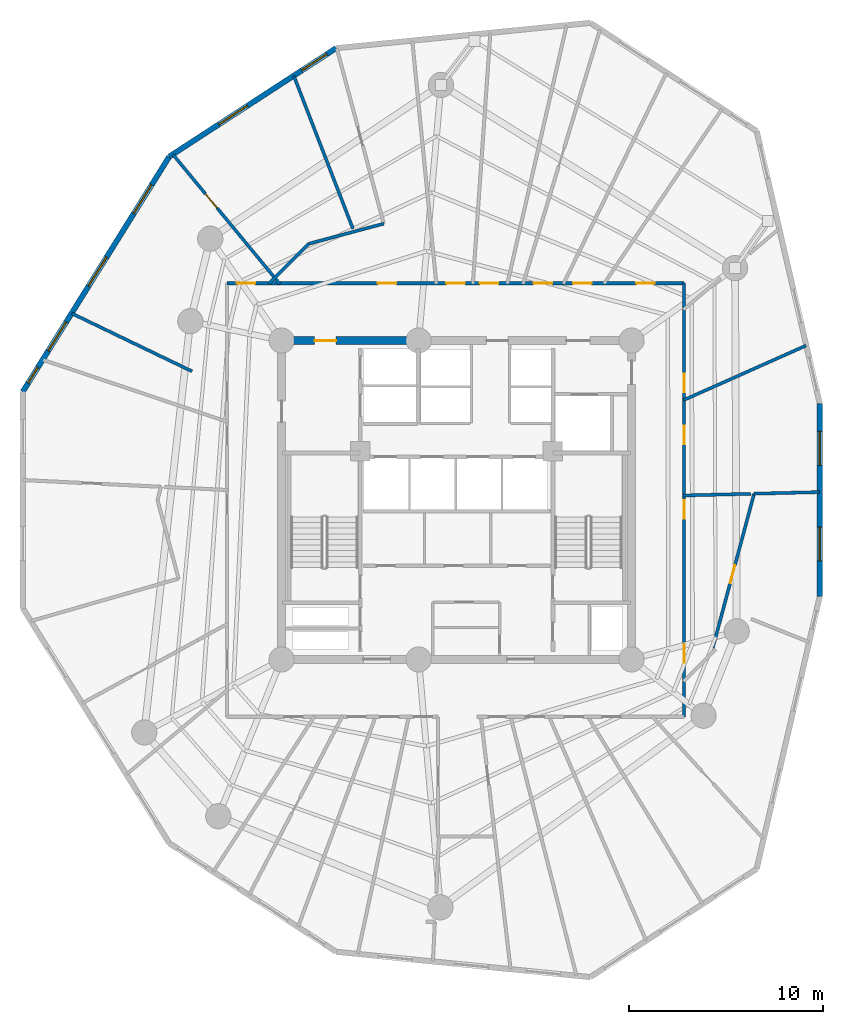
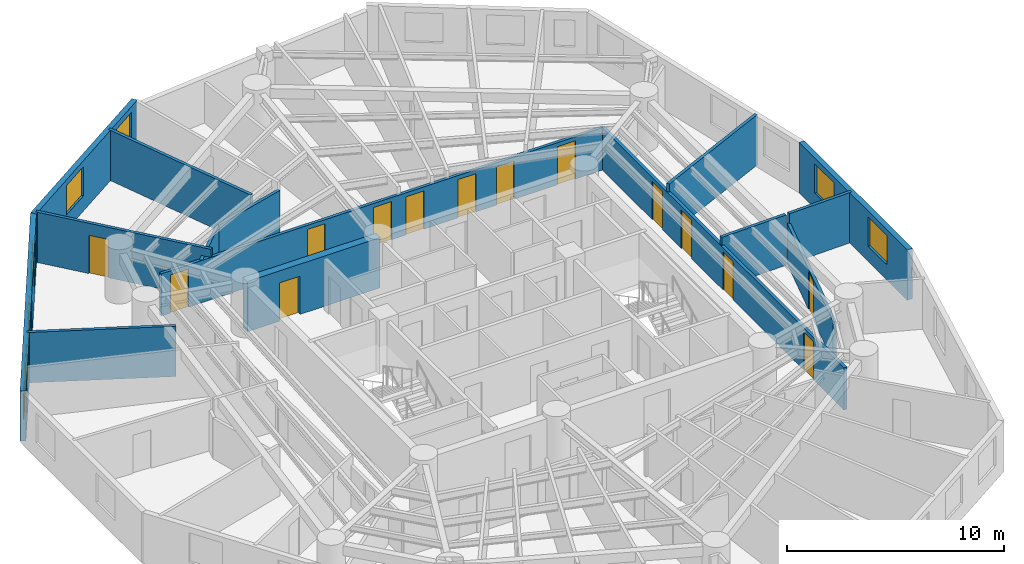
# One storey, part 6 of 8: 15 walls, 14 doors, 8 windows, 22 openings.
"""IFC4 building model written with IfcOpenShell, lengths in metres."""

from ifc_helpers import new_model, si_unit, direction, frame, frame_2d, origin, origin_with_axes, place, context, subcontext, project, spatial, rectangle, extrude, source, transform, mapped, material, layer, layer_set, type_object, element, fill, save


model = new_model("IFC4")

# Units and contexts
model_context = context("Model", 3, precision=1e-05, world=origin(), true_north=direction((0.0, 1.0)))
body_context = subcontext(model_context, "Body", "Model", "MODEL_VIEW")
ifc_project = project(units=[si_unit("LENGTHUNIT", "METRE"), si_unit("AREAUNIT", "SQUARE_METRE"), si_unit("VOLUMEUNIT", "CUBIC_METRE"), si_unit("PLANEANGLEUNIT", "RADIAN"), si_unit("MASSUNIT", "GRAM", prefix="KILO")], contexts=[model_context])

# Site, building, storey
site_placement = place(None, origin())
site = spatial("IfcSite", under=ifc_project, at=site_placement, CompositionType="ELEMENT")
building_placement = place(site_placement, origin())
building = spatial("IfcBuilding", under=site, at=building_placement, Name="Karkom Vertical University and Central Library", CompositionType="ELEMENT")
storey_placement = place(building_placement, frame((0.0, 0.0, 187.050048828125)))
storey = spatial("IfcBuildingStorey", under=building, at=storey_placement, Name="L54", CompositionType="ELEMENT", Elevation=187.050048828125)

# Wall, openings, windows
ifc_material_1 = material(Name="Brick-faced precast concrete C45/55", Category="masonry")
ifc_layer_1 = layer(ifc_material_1, 0.280029296875)
ifc_layer_set_1 = layer_set([ifc_layer_1], Name="Brick-faced precast concrete C45/55")
wall_type_1 = type_object("IfcWallType", Name="ENV-WL-BRK-280", PredefinedType="SOLIDWALL", material=ifc_layer_set_1)
wall_1_placement = place(storey_placement, frame((47.185302734375, 21.525634765625, 0.0), z_axis=(0.0, 0.0, 1.0), x_axis=(0.0, 1.0, 0.0)))
wall_1 = element("IfcWall", 1, at=wall_1_placement, inside=storey, type_object=wall_type_1, Name="Level 54 Brick-Faced Precast Facade Wall 07", PredefinedType="SOLIDWALL", context=body_context, shape_type="SweptSolid", body=[
    extrude(rectangle(XDim=9.94873046875, YDim=0.280029296875, at=frame_2d((4.974365234375, 0.0))), origin(), (0.0, 0.0, 1.0), 2.824951171875),
])
opening_1_placement = place(wall_1_placement, frame((1.844970703125, 0.0, 0.85009765625)))
opening_1 = element("IfcOpeningElement", 2, at=opening_1_placement, cuts=wall_1, Name="Opening WN-08", PredefinedType="OPENING", context=body_context, shape_type="SweptSolid", body=[
    extrude(rectangle(XDim=1.75, YDim=1.64990234375, at=frame_2d((0.875, 0.824951171875))), frame((0.0, 0.14990234375, 0.0), z_axis=(0.0, -1.0, 0.0), x_axis=(1.0, 0.0, 0.0)), (0.0, 0.0, 1.0), 0.300048828125),
])
opening_2_placement = place(wall_1_placement, frame((6.75927734375, 0.0, 0.85009765625)))
opening_2 = element("IfcOpeningElement", 3, at=opening_2_placement, cuts=wall_1, Name="Opening WN-08", PredefinedType="OPENING", context=body_context, shape_type="SweptSolid", body=[
    extrude(rectangle(XDim=1.75, YDim=1.64990234375, at=frame_2d((0.875, 0.824951171875))), frame((0.0, 0.14990234375, 0.0), z_axis=(0.0, -1.0, 0.0), x_axis=(1.0, 0.0, 0.0)), (0.0, 0.0, 1.0), 0.300048828125),
])
ifc_material_2 = material(Name="Aluminium thermal-break frame with solar-control IGU", Category="aluminium")
window_type_1 = type_object("IfcWindowType", Name="ENV-WIN-WN-08", PartitioningType="SINGLE_PANEL", PredefinedType="WINDOW", material=ifc_material_2)
shared_shape_1 = source(origin_with_axes(), body_context, "Body", "SweptSolid", [
    extrude(rectangle(XDim=1.75, YDim=1.64990234375, at=frame_2d((0.875, 0.824951171875))), frame((0.0, 0.030029296875, 0.0), z_axis=(0.0, -1.0, 0.0), x_axis=(1.0, 0.0, 0.0)), (0.0, 0.0, 1.0), 0.06005859375),
])
window_1_placement = place(opening_1_placement, origin())
window_1 = element("IfcWindow", 4, at=window_1_placement, inside=storey, type_object=window_type_1, Name="Level 54 Punched Window 7.1", OverallHeight=1.64990234375, OverallWidth=1.75, PartitioningType="SINGLE_PANEL", PredefinedType="WINDOW", context=body_context, shape_type="MappedRepresentation", body=[
    mapped(shared_shape_1, transform((0.0, 0.0, 0.0), scale=1.0)),
])
fill(opening_1, window_1)
window_2_placement = place(opening_2_placement, origin())
window_2 = element("IfcWindow", 5, at=window_2_placement, inside=storey, type_object=window_type_1, Name="Level 54 Punched Window 7.2", OverallHeight=1.64990234375, OverallWidth=1.75, PartitioningType="SINGLE_PANEL", PredefinedType="WINDOW", context=body_context, shape_type="MappedRepresentation", body=[
    mapped(shared_shape_1, transform((0.0, 0.0, 0.0), scale=1.0)),
])
fill(opening_2, window_2)

wall_2_placement = place(storey_placement, frame((22.306884765625, 49.74658203125, 0.0), z_axis=(0.0, 0.0, 1.0), x_axis=(-0.838379351777, -0.545087206339, 0.0)))
wall_2 = element("IfcWall", 6, at=wall_2_placement, inside=storey, type_object=wall_type_1, Name="Level 54 Brick-Faced Precast Facade Wall 11", PredefinedType="SOLIDWALL", context=body_context, shape_type="SweptSolid", body=[
    extrude(rectangle(XDim=10.242919921875, YDim=0.280029296875, at=frame_2d((5.12158203125, 0.0))), origin(), (0.0, 0.0, 1.0), 2.824951171875),
])
opening_3_placement = place(wall_2_placement, frame((0.563232421875, 0.0, 0.85009765625)))
opening_3 = element("IfcOpeningElement", 7, at=opening_3_placement, cuts=wall_2, Name="Opening WN-09", PredefinedType="OPENING", context=body_context, shape_type="SweptSolid", body=[
    extrude(rectangle(XDim=1.550048828125, YDim=1.64990234375, at=frame_2d((0.77490234375, 0.824951171875))), frame((0.0, 0.14990234375, 0.0), z_axis=(0.0, -1.0, 0.0), x_axis=(1.0, 0.0, 0.0)), (0.0, 0.0, 1.0), 0.300048828125),
])
opening_4_placement = place(wall_2_placement, frame((5.4423828125, 0.0, 0.85009765625)))
opening_4 = element("IfcOpeningElement", 8, at=opening_4_placement, cuts=wall_2, Name="Opening WN-08", PredefinedType="OPENING", context=body_context, shape_type="SweptSolid", body=[
    extrude(rectangle(XDim=1.75, YDim=1.64990234375, at=frame_2d((0.875, 0.824951171875))), frame((0.0, 0.14990234375, 0.0), z_axis=(0.0, -1.0, 0.0), x_axis=(1.0, 0.0, 0.0)), (0.0, 0.0, 1.0), 0.300048828125),
])
window_3_placement = place(opening_4_placement, origin())
window_3 = element("IfcWindow", 9, at=window_3_placement, inside=storey, type_object=window_type_1, Name="Level 54 Punched Window 11.2", OverallHeight=1.64990234375, OverallWidth=1.75, PartitioningType="SINGLE_PANEL", PredefinedType="WINDOW", context=body_context, shape_type="MappedRepresentation", body=[
    mapped(shared_shape_1, transform((0.0, 0.0, 0.0), scale=1.0)),
])
fill(opening_4, window_3)
window_type_2 = type_object("IfcWindowType", Name="ENV-WIN-WN-09", PartitioningType="SINGLE_PANEL", PredefinedType="WINDOW", material=ifc_material_2)
shared_shape_2 = source(origin_with_axes(), body_context, "Body", "SweptSolid", [
    extrude(rectangle(XDim=1.550048828125, YDim=1.64990234375, at=frame_2d((0.77490234375, 0.824951171875))), frame((0.0, 0.030029296875, 0.0), z_axis=(0.0, -1.0, 0.0), x_axis=(1.0, 0.0, 0.0)), (0.0, 0.0, 1.0), 0.06005859375),
])
window_4_placement = place(opening_3_placement, origin())
window_4 = element("IfcWindow", 10, at=window_4_placement, inside=storey, type_object=window_type_2, Name="Level 54 Punched Window 11.1", OverallHeight=1.64990234375, OverallWidth=1.550048828125, PartitioningType="SINGLE_PANEL", PredefinedType="WINDOW", context=body_context, shape_type="MappedRepresentation", body=[
    mapped(shared_shape_2, transform((0.0, 0.0, 0.0), scale=1.0)),
])
fill(opening_3, window_4)

wall_3_placement = place(storey_placement, frame((13.719482421875, 44.163330078125, 0.0), z_axis=(0.0, 0.0, 1.0), x_axis=(-0.52888179639, -0.848695496304, 0.0)))
wall_3 = element("IfcWall", 11, at=wall_3_placement, inside=storey, type_object=wall_type_1, Name="Level 54 Brick-Faced Precast Facade Wall 12", PredefinedType="SOLIDWALL", context=body_context, shape_type="SweptSolid", body=[
    extrude(rectangle(XDim=14.247802734375, YDim=0.280029296875, at=frame_2d((7.1240234375, 0.0))), origin(), (0.0, 0.0, 1.0), 2.824951171875),
])
opening_5_placement = place(wall_3_placement, frame((1.702880859375, 0.0, 0.85009765625)))
opening_5 = element("IfcOpeningElement", 12, at=opening_5_placement, cuts=wall_3, Name="Opening WN-08", PredefinedType="OPENING", context=body_context, shape_type="SweptSolid", body=[
    extrude(rectangle(XDim=1.75, YDim=1.64990234375, at=frame_2d((0.875, 0.824951171875))), frame((0.0, 0.14990234375, 0.0), z_axis=(0.0, -1.0, 0.0), x_axis=(1.0, 0.0, 0.0)), (0.0, 0.0, 1.0), 0.300048828125),
])
opening_6_placement = place(wall_3_placement, frame((6.098876953125, 0.0, 0.85009765625)))
opening_6 = element("IfcOpeningElement", 13, at=opening_6_placement, cuts=wall_3, Name="Opening WN-08", PredefinedType="OPENING", context=body_context, shape_type="SweptSolid", body=[
    extrude(rectangle(XDim=1.75, YDim=1.64990234375, at=frame_2d((0.875, 0.824951171875))), frame((0.0, 0.14990234375, 0.0), z_axis=(0.0, -1.0, 0.0), x_axis=(1.0, 0.0, 0.0)), (0.0, 0.0, 1.0), 0.300048828125),
])
opening_7_placement = place(wall_3_placement, frame((10.0205078125, 0.0, 0.85009765625)))
opening_7 = element("IfcOpeningElement", 14, at=opening_7_placement, cuts=wall_3, Name="Opening WN-08", PredefinedType="OPENING", context=body_context, shape_type="SweptSolid", body=[
    extrude(rectangle(XDim=1.75, YDim=1.64990234375, at=frame_2d((0.875, 0.824951171875))), frame((0.0, 0.14990234375, 0.0), z_axis=(0.0, -1.0, 0.0), x_axis=(1.0, 0.0, 0.0)), (0.0, 0.0, 1.0), 0.300048828125),
])
opening_8_placement = place(wall_3_placement, frame((12.7685546875, 0.0, 0.85009765625)))
opening_8 = element("IfcOpeningElement", 15, at=opening_8_placement, cuts=wall_3, Name="Opening WN-12", PredefinedType="OPENING", context=body_context, shape_type="SweptSolid", body=[
    extrude(rectangle(XDim=0.949951171875, YDim=1.5, at=frame_2d((0.47509765625, 0.75))), frame((0.0, 0.14990234375, 0.0), z_axis=(0.0, -1.0, 0.0), x_axis=(1.0, 0.0, 0.0)), (0.0, 0.0, 1.0), 0.300048828125),
])
window_type_3 = type_object("IfcWindowType", Name="ENV-WIN-WN-12", PartitioningType="SINGLE_PANEL", PredefinedType="WINDOW", material=ifc_material_2)
shared_shape_3 = source(origin_with_axes(), body_context, "Body", "SweptSolid", [
    extrude(rectangle(XDim=0.949951171875, YDim=1.5, at=frame_2d((0.47509765625, 0.75))), frame((0.0, 0.030029296875, 0.0), z_axis=(0.0, -1.0, 0.0), x_axis=(1.0, 0.0, 0.0)), (0.0, 0.0, 1.0), 0.06005859375),
])
window_5_placement = place(opening_8_placement, origin())
window_5 = element("IfcWindow", 16, at=window_5_placement, inside=storey, type_object=window_type_3, Name="Level 54 Punched Window 12.4", OverallHeight=1.5, OverallWidth=0.949951171875, PartitioningType="SINGLE_PANEL", PredefinedType="WINDOW", context=body_context, shape_type="MappedRepresentation", body=[
    mapped(shared_shape_3, transform((0.0, 0.0, 0.0), scale=1.0)),
])
fill(opening_8, window_5)
window_6_placement = place(opening_5_placement, origin())
window_6 = element("IfcWindow", 17, at=window_6_placement, inside=storey, type_object=window_type_1, Name="Level 54 Punched Window 12.1", OverallHeight=1.64990234375, OverallWidth=1.75, PartitioningType="SINGLE_PANEL", PredefinedType="WINDOW", context=body_context, shape_type="MappedRepresentation", body=[
    mapped(shared_shape_1, transform((0.0, 0.0, 0.0), scale=1.0)),
])
fill(opening_5, window_6)
window_7_placement = place(opening_6_placement, origin())
window_7 = element("IfcWindow", 18, at=window_7_placement, inside=storey, type_object=window_type_1, Name="Level 54 Punched Window 12.2", OverallHeight=1.64990234375, OverallWidth=1.75, PartitioningType="SINGLE_PANEL", PredefinedType="WINDOW", context=body_context, shape_type="MappedRepresentation", body=[
    mapped(shared_shape_1, transform((0.0, 0.0, 0.0), scale=1.0)),
])
fill(opening_6, window_7)
window_8_placement = place(opening_7_placement, origin())
window_8 = element("IfcWindow", 19, at=window_8_placement, inside=storey, type_object=window_type_1, Name="Level 54 Punched Window 12.3", OverallHeight=1.64990234375, OverallWidth=1.75, PartitioningType="SINGLE_PANEL", PredefinedType="WINDOW", context=body_context, shape_type="MappedRepresentation", body=[
    mapped(shared_shape_1, transform((0.0, 0.0, 0.0), scale=1.0)),
])
fill(opening_7, window_8)

# Wall, openings, doors
ifc_material_3 = material(Name="Insulated metal-stud drywall 160mm", Category="gypsum")
ifc_layer_2 = layer(ifc_material_3, 0.159912109375)
ifc_layer_set_2 = layer_set([ifc_layer_2], Name="Insulated metal-stud drywall 160mm")
wall_type_2 = type_object("IfcWallType", Name="INT-WL-COR-160", PredefinedType="PARTITIONING", material=ifc_layer_set_2)
wall_4_placement = place(storey_placement, frame((16.699951171875, 37.64990234375, 0.0), z_axis=(0.0, 0.0, 1.0), x_axis=(1.0, 0.0, 0.0)))
wall_4 = element("IfcWall", 20, at=wall_4_placement, inside=storey, type_object=wall_type_2, Name="Level 54 Interior Partition Wall L54-CORW-CW-003", PredefinedType="PARTITIONING", context=body_context, shape_type="SweptSolid", body=[
    extrude(rectangle(XDim=23.5, YDim=0.159912109375, at=frame_2d((11.75, 0.0))), origin(), (0.0, 0.0, 1.0), 2.375),
])
opening_9_placement = place(wall_4_placement, frame((21.042724609375, 0.0, 0.0)))
opening_9 = element("IfcOpeningElement", 21, at=opening_9_placement, cuts=wall_4, Name="Opening D-RM1", PredefinedType="OPENING", context=body_context, shape_type="SweptSolid", body=[
    extrude(rectangle(XDim=0.949951171875, YDim=2.14990234375, at=frame_2d((0.47509765625, 1.074951171875))), frame((0.0, 0.08984375, 0.0), z_axis=(0.0, -1.0, 0.0), x_axis=(1.0, 0.0, 0.0)), (0.0, 0.0, 1.0), 0.179931640625),
])
opening_10_placement = place(wall_4_placement, frame((17.7900390625, 0.0, 0.0)))
opening_10 = element("IfcOpeningElement", 22, at=opening_10_placement, cuts=wall_4, Name="Opening D-RM1", PredefinedType="OPENING", context=body_context, shape_type="SweptSolid", body=[
    extrude(rectangle(XDim=0.949951171875, YDim=2.14990234375, at=frame_2d((0.47509765625, 1.074951171875))), frame((0.0, 0.08984375, 0.0), z_axis=(0.0, -1.0, 0.0), x_axis=(1.0, 0.0, 0.0)), (0.0, 0.0, 1.0), 0.179931640625),
])
opening_11_placement = place(wall_4_placement, frame((15.762939453125, 0.0, 0.0)))
opening_11 = element("IfcOpeningElement", 23, at=opening_11_placement, cuts=wall_4, Name="Opening D-RM1", PredefinedType="OPENING", context=body_context, shape_type="SweptSolid", body=[
    extrude(rectangle(XDim=0.949951171875, YDim=2.14990234375, at=frame_2d((0.47509765625, 1.074951171875))), frame((0.0, 0.08984375, 0.0), z_axis=(0.0, -1.0, 0.0), x_axis=(1.0, 0.0, 0.0)), (0.0, 0.0, 1.0), 0.179931640625),
])
opening_12_placement = place(wall_4_placement, frame((13.00341796875, 0.0, 0.0)))
opening_12 = element("IfcOpeningElement", 24, at=opening_12_placement, cuts=wall_4, Name="Opening D-RM1", PredefinedType="OPENING", context=body_context, shape_type="SweptSolid", body=[
    extrude(rectangle(XDim=0.949951171875, YDim=2.14990234375, at=frame_2d((0.47509765625, 1.074951171875))), frame((0.0, 0.08984375, 0.0), z_axis=(0.0, -1.0, 0.0), x_axis=(1.0, 0.0, 0.0)), (0.0, 0.0, 1.0), 0.179931640625),
])
opening_13_placement = place(wall_4_placement, frame((11.27490234375, 0.0, 0.0)))
opening_13 = element("IfcOpeningElement", 25, at=opening_13_placement, cuts=wall_4, Name="Opening D-RM1", PredefinedType="OPENING", context=body_context, shape_type="SweptSolid", body=[
    extrude(rectangle(XDim=0.949951171875, YDim=2.14990234375, at=frame_2d((0.47509765625, 1.074951171875))), frame((0.0, 0.08984375, 0.0), z_axis=(0.0, -1.0, 0.0), x_axis=(1.0, 0.0, 0.0)), (0.0, 0.0, 1.0), 0.179931640625),
])
opening_14_placement = place(wall_4_placement, frame((7.75, 0.0, 0.0)))
opening_14 = element("IfcOpeningElement", 26, at=opening_14_placement, cuts=wall_4, Name="Opening D-RM1", PredefinedType="OPENING", context=body_context, shape_type="SweptSolid", body=[
    extrude(rectangle(XDim=0.949951171875, YDim=2.14990234375, at=frame_2d((0.47509765625, 1.074951171875))), frame((0.0, 0.08984375, 0.0), z_axis=(0.0, -1.0, 0.0), x_axis=(1.0, 0.0, 0.0)), (0.0, 0.0, 1.0), 0.179931640625),
])
opening_15_placement = place(wall_4_placement, frame((0.493408203125, 0.0, 0.0)))
opening_15 = element("IfcOpeningElement", 27, at=opening_15_placement, cuts=wall_4, Name="Opening D-RM1", PredefinedType="OPENING", context=body_context, shape_type="SweptSolid", body=[
    extrude(rectangle(XDim=0.949951171875, YDim=2.14990234375, at=frame_2d((0.47509765625, 1.074951171875))), frame((0.0, 0.08984375, 0.0), z_axis=(0.0, -1.0, 0.0), x_axis=(1.0, 0.0, 0.0)), (0.0, 0.0, 1.0), 0.179931640625),
])
ifc_material_4 = material(Name="Solid-core oak veneer door", Category="wood")
door_type_1 = type_object("IfcDoorType", Name="INT-DR-RM1", OperationType="NOTDEFINED", PredefinedType="DOOR", material=ifc_material_4)
shared_shape_4 = source(origin_with_axes(), body_context, "Body", "SweptSolid", [
    extrude(rectangle(XDim=0.949951171875, YDim=2.14990234375, at=frame_2d((0.47509765625, 1.074951171875))), frame((0.0, 0.02490234375, 0.0), z_axis=(0.0, -1.0, 0.0), x_axis=(1.0, 0.0, 0.0)), (0.0, 0.0, 1.0), 0.050048828125),
])
door_1_placement = place(opening_9_placement, origin())
door_1 = element("IfcDoor", 28, at=door_1_placement, inside=storey, type_object=door_type_1, Name="Level 54 Room Entry Door 190", OperationType="SINGLE_SWING_LEFT", OverallHeight=2.14990234375, OverallWidth=0.949951171875, PredefinedType="DOOR", context=body_context, shape_type="MappedRepresentation", body=[
    mapped(shared_shape_4, transform((0.0, 0.0, 0.0), scale=1.0)),
])
fill(opening_9, door_1)
door_2_placement = place(opening_10_placement, origin())
door_2 = element("IfcDoor", 29, at=door_2_placement, inside=storey, type_object=door_type_1, Name="Level 54 Room Entry Door 200", OperationType="SINGLE_SWING_RIGHT", OverallHeight=2.14990234375, OverallWidth=0.949951171875, PredefinedType="DOOR", context=body_context, shape_type="MappedRepresentation", body=[
    mapped(shared_shape_4, transform((0.0, 0.0, 0.0), scale=1.0)),
])
fill(opening_10, door_2)
door_3_placement = place(opening_11_placement, origin())
door_3 = element("IfcDoor", 30, at=door_3_placement, inside=storey, type_object=door_type_1, Name="Level 54 Room Entry Door 210", OperationType="SINGLE_SWING_LEFT", OverallHeight=2.14990234375, OverallWidth=0.949951171875, PredefinedType="DOOR", context=body_context, shape_type="MappedRepresentation", body=[
    mapped(shared_shape_4, transform((0.0, 0.0, 0.0), scale=1.0)),
])
fill(opening_11, door_3)
door_4_placement = place(opening_12_placement, origin())
door_4 = element("IfcDoor", 31, at=door_4_placement, inside=storey, type_object=door_type_1, Name="Level 54 Room Entry Door 230", OperationType="SINGLE_SWING_RIGHT", OverallHeight=2.14990234375, OverallWidth=0.949951171875, PredefinedType="DOOR", context=body_context, shape_type="MappedRepresentation", body=[
    mapped(shared_shape_4, transform((0.0, 0.0, 0.0), scale=1.0)),
])
fill(opening_12, door_4)
door_5_placement = place(opening_13_placement, origin())
door_5 = element("IfcDoor", 32, at=door_5_placement, inside=storey, type_object=door_type_1, Name="Level 54 Room Entry Door 240", OperationType="SINGLE_SWING_LEFT", OverallHeight=2.14990234375, OverallWidth=0.949951171875, PredefinedType="DOOR", context=body_context, shape_type="MappedRepresentation", body=[
    mapped(shared_shape_4, transform((0.0, 0.0, 0.0), scale=1.0)),
])
fill(opening_13, door_5)
door_6_placement = place(opening_14_placement, origin())
door_6 = element("IfcDoor", 33, at=door_6_placement, inside=storey, type_object=door_type_1, Name="Level 54 Room Entry Door 250", OperationType="SINGLE_SWING_RIGHT", OverallHeight=2.14990234375, OverallWidth=0.949951171875, PredefinedType="DOOR", context=body_context, shape_type="MappedRepresentation", body=[
    mapped(shared_shape_4, transform((0.0, 0.0, 0.0), scale=1.0)),
])
fill(opening_14, door_6)
door_7_placement = place(opening_15_placement, origin())
door_7 = element("IfcDoor", 34, at=door_7_placement, inside=storey, type_object=door_type_1, Name="Level 54 Room Entry Door 280", OperationType="SINGLE_SWING_LEFT", OverallHeight=2.14990234375, OverallWidth=0.949951171875, PredefinedType="DOOR", context=body_context, shape_type="MappedRepresentation", body=[
    mapped(shared_shape_4, transform((0.0, 0.0, 0.0), scale=1.0)),
])
fill(opening_15, door_7)

wall_5_placement = place(storey_placement, frame((40.199951171875, 37.64990234375, 0.0), z_axis=(0.0, 0.0, 1.0), x_axis=(0.0, -1.0, 0.0)))
wall_5 = element("IfcWall", 35, at=wall_5_placement, inside=storey, type_object=wall_type_2, Name="Level 54 Interior Partition Wall L54-CORW-CW-004", PredefinedType="PARTITIONING", context=body_context, shape_type="SweptSolid", body=[
    extrude(rectangle(XDim=22.2998046875, YDim=0.159912109375, at=frame_2d((11.14990234375, 0.0))), origin(), (0.0, 0.0, 1.0), 2.375),
])
opening_16_placement = place(wall_5_placement, frame((18.566650390625, 0.0, 0.0)))
opening_16 = element("IfcOpeningElement", 36, at=opening_16_placement, cuts=wall_5, Name="Opening D-RM1", PredefinedType="OPENING", context=body_context, shape_type="SweptSolid", body=[
    extrude(rectangle(XDim=0.949951171875, YDim=2.14990234375, at=frame_2d((0.47509765625, 1.074951171875))), frame((0.0, 0.08984375, 0.0), z_axis=(0.0, -1.0, 0.0), x_axis=(1.0, 0.0, 0.0)), (0.0, 0.0, 1.0), 0.179931640625),
])
opening_17_placement = place(wall_5_placement, frame((11.1650390625, 0.0, 0.0)))
opening_17 = element("IfcOpeningElement", 37, at=opening_17_placement, cuts=wall_5, Name="Opening D-RM1", PredefinedType="OPENING", context=body_context, shape_type="SweptSolid", body=[
    extrude(rectangle(XDim=0.949951171875, YDim=2.14990234375, at=frame_2d((0.47509765625, 1.074951171875))), frame((0.0, 0.08984375, 0.0), z_axis=(0.0, -1.0, 0.0), x_axis=(1.0, 0.0, 0.0)), (0.0, 0.0, 1.0), 0.179931640625),
])
opening_18_placement = place(wall_5_placement, frame((7.330078125, 0.0, 0.0)))
opening_18 = element("IfcOpeningElement", 38, at=opening_18_placement, cuts=wall_5, Name="Opening D-RM1", PredefinedType="OPENING", context=body_context, shape_type="SweptSolid", body=[
    extrude(rectangle(XDim=0.949951171875, YDim=2.14990234375, at=frame_2d((0.47509765625, 1.074951171875))), frame((0.0, 0.08984375, 0.0), z_axis=(0.0, -1.0, 0.0), x_axis=(1.0, 0.0, 0.0)), (0.0, 0.0, 1.0), 0.179931640625),
])
opening_19_placement = place(wall_5_placement, frame((4.659912109375, 0.0, 0.0)))
opening_19 = element("IfcOpeningElement", 39, at=opening_19_placement, cuts=wall_5, Name="Opening D-RM1", PredefinedType="OPENING", context=body_context, shape_type="SweptSolid", body=[
    extrude(rectangle(XDim=0.949951171875, YDim=2.14990234375, at=frame_2d((0.47509765625, 1.074951171875))), frame((0.0, 0.08984375, 0.0), z_axis=(0.0, -1.0, 0.0), x_axis=(1.0, 0.0, 0.0)), (0.0, 0.0, 1.0), 0.179931640625),
])
door_8_placement = place(opening_16_placement, origin())
door_8 = element("IfcDoor", 40, at=door_8_placement, inside=storey, type_object=door_type_1, Name="Level 54 Room Entry Door 140", OperationType="SINGLE_SWING_LEFT", OverallHeight=2.14990234375, OverallWidth=0.949951171875, PredefinedType="DOOR", context=body_context, shape_type="MappedRepresentation", body=[
    mapped(shared_shape_4, transform((0.0, 0.0, 0.0), scale=1.0)),
])
fill(opening_16, door_8)
door_9_placement = place(opening_17_placement, origin())
door_9 = element("IfcDoor", 41, at=door_9_placement, inside=storey, type_object=door_type_1, Name="Level 54 Room Entry Door 150", OperationType="SINGLE_SWING_RIGHT", OverallHeight=2.14990234375, OverallWidth=0.949951171875, PredefinedType="DOOR", context=body_context, shape_type="MappedRepresentation", body=[
    mapped(shared_shape_4, transform((0.0, 0.0, 0.0), scale=1.0)),
])
fill(opening_17, door_9)
door_10_placement = place(opening_18_placement, origin())
door_10 = element("IfcDoor", 42, at=door_10_placement, inside=storey, type_object=door_type_1, Name="Level 54 Room Entry Door 170", OperationType="SINGLE_SWING_LEFT", OverallHeight=2.14990234375, OverallWidth=0.949951171875, PredefinedType="DOOR", context=body_context, shape_type="MappedRepresentation", body=[
    mapped(shared_shape_4, transform((0.0, 0.0, 0.0), scale=1.0)),
])
fill(opening_18, door_10)
door_11_placement = place(opening_19_placement, origin())
door_11 = element("IfcDoor", 43, at=door_11_placement, inside=storey, type_object=door_type_1, Name="Level 54 Room Entry Door 180", OperationType="SINGLE_SWING_RIGHT", OverallHeight=2.14990234375, OverallWidth=0.949951171875, PredefinedType="DOOR", context=body_context, shape_type="MappedRepresentation", body=[
    mapped(shared_shape_4, transform((0.0, 0.0, 0.0), scale=1.0)),
])
fill(opening_19, door_11)

# Wall, opening, door
wall_6_placement = place(storey_placement, frame((19.404296875, 37.615234375, 0.0), z_axis=(0.0, 0.0, 1.0), x_axis=(-0.636513152023, 0.771265847358, 0.0)))
wall_6 = element("IfcWall", 44, at=wall_6_placement, inside=storey, type_object=wall_type_2, Name="Level 54 Interior Partition Wall L54-PW-041", PredefinedType="PARTITIONING", context=body_context, shape_type="SweptSolid", body=[
    extrude(rectangle(XDim=8.61865234375, YDim=0.159912109375, at=frame_2d((4.309326171875, 0.0))), origin(), (0.0, 0.0, 1.0), 2.824951171875),
])
opening_20_placement = place(wall_6_placement, frame((5.04931640625, 0.0, 0.0)))
opening_20 = element("IfcOpeningElement", 45, at=opening_20_placement, cuts=wall_6, Name="Opening D-RM1", PredefinedType="OPENING", context=body_context, shape_type="SweptSolid", body=[
    extrude(rectangle(XDim=0.949951171875, YDim=2.14990234375, at=frame_2d((0.47509765625, 1.074951171875))), frame((0.0, 0.08984375, 0.0), z_axis=(0.0, -1.0, 0.0), x_axis=(1.0, 0.0, 0.0)), (0.0, 0.0, 1.0), 0.179931640625),
])
door_12_placement = place(opening_20_placement, origin())
door_12 = element("IfcDoor", 46, at=door_12_placement, inside=storey, type_object=door_type_1, Name="Level 54 Room Entry Door 270", OperationType="SINGLE_SWING_LEFT", OverallHeight=2.14990234375, OverallWidth=0.949951171875, PredefinedType="DOOR", context=body_context, shape_type="MappedRepresentation", body=[
    mapped(shared_shape_4, transform((0.0, 0.0, 0.0), scale=1.0)),
])
fill(opening_20, door_12)

# Wall
wall_7_placement = place(storey_placement, frame((23.16845703125, 40.454345703125, 0.0), z_axis=(0.0, 0.0, 1.0), x_axis=(-0.360660337698, 0.932697228907, 0.0)))
element("IfcWall", 47, at=wall_7_placement, inside=storey, type_object=wall_type_2, Name="Level 54 Interior Partition Wall L54-PW-040", PredefinedType="PARTITIONING", context=body_context, shape_type="SweptSolid", body=[
    extrude(rectangle(XDim=8.414306640625, YDim=0.159912109375, at=frame_2d((4.20703125, 0.0))), origin(), (0.0, 0.0, 1.0), 2.824951171875),
])

# Wall, opening, door
wall_8_placement = place(storey_placement, frame((43.80224609375, 26.8173828125, 0.0), z_axis=(0.0, 0.0, 1.0), x_axis=(-0.25881986312, -0.965925607102, 0.0)))
wall_8 = element("IfcWall", 48, at=wall_8_placement, inside=storey, type_object=wall_type_2, Name="Level 54 Interior Partition Wall L54-PW-025", PredefinedType="PARTITIONING", context=body_context, shape_type="SweptSolid", body=[
    extrude(rectangle(XDim=8.20556640625, YDim=0.159912109375, at=frame_2d((4.102783203125, 0.0))), origin(), (0.0, 0.0, 1.0), 2.27490234375),
])
opening_21_placement = place(wall_8_placement, frame((3.7919921875, 0.0, 0.0)))
opening_21 = element("IfcOpeningElement", 49, at=opening_21_placement, cuts=wall_8, Name="Opening D-RM1", PredefinedType="OPENING", context=body_context, shape_type="SweptSolid", body=[
    extrude(rectangle(XDim=0.949951171875, YDim=2.14990234375, at=frame_2d((0.47509765625, 1.074951171875))), frame((0.0, 0.08984375, 0.0), z_axis=(0.0, -1.0, 0.0), x_axis=(1.0, 0.0, 0.0)), (0.0, 0.0, 1.0), 0.179931640625),
])
door_13_placement = place(opening_21_placement, origin())
door_13 = element("IfcDoor", 50, at=door_13_placement, inside=storey, type_object=door_type_1, Name="Level 54 Room Entry Door 160", OperationType="SINGLE_SWING_RIGHT", OverallHeight=2.14990234375, OverallWidth=0.949951171875, PredefinedType="DOOR", context=body_context, shape_type="MappedRepresentation", body=[
    mapped(shared_shape_4, transform((0.0, 0.0, 0.0), scale=1.0)),
])
fill(opening_21, door_13)

# Walls
wall_9_placement = place(storey_placement, frame((40.172607421875, 31.635009765625, 0.0), z_axis=(0.0, 0.0, 1.0), x_axis=(0.913452030109, 0.406946419925, 0.0)))
element("IfcWall", 51, at=wall_9_placement, inside=storey, type_object=wall_type_2, Name="Level 54 Interior Partition Wall L54-PW-028", PredefinedType="PARTITIONING", context=body_context, shape_type="SweptSolid", body=[
    extrude(rectangle(XDim=6.895751953125, YDim=0.159912109375, at=frame_2d((3.44775390625, 0.0))), origin(), (0.0, 0.0, 1.0), 2.824951171875),
])
wall_10_placement = place(storey_placement, frame((14.890869140625, 33.119140625, 0.0), z_axis=(0.0, 0.0, 1.0), x_axis=(-0.900985674689, 0.433848837737, 0.0)))
element("IfcWall", 52, at=wall_10_placement, inside=storey, type_object=wall_type_2, Name="Level 54 Interior Partition Wall L54-PW-042", PredefinedType="PARTITIONING", context=body_context, shape_type="SweptSolid", body=[
    extrude(rectangle(XDim=6.85009765625, YDim=0.159912109375, at=frame_2d((3.425048828125, 0.0))), origin(), (0.0, 0.0, 1.0), 2.824951171875),
])
wall_11_placement = place(storey_placement, frame((20.891357421875, 39.678466796875, 0.0), z_axis=(0.0, 0.0, 1.0), x_axis=(0.96592515808, 0.258821538881, 0.0)))
element("IfcWall", 53, at=wall_11_placement, inside=storey, type_object=wall_type_2, Name="Level 54 Interior Partition Wall L54-PW-038", PredefinedType="PARTITIONING", context=body_context, shape_type="SweptSolid", body=[
    extrude(rectangle(XDim=3.99853515625, YDim=0.159912109375, at=frame_2d((1.999267578125, 0.0))), origin(), (0.0, 0.0, 1.0), 2.375),
])
wall_12_placement = place(storey_placement, frame((40.155029296875, 26.7314453125, 0.0), z_axis=(0.0, 0.0, 1.0), x_axis=(0.999687690253, 0.02499043731, 0.0)))
element("IfcWall", 54, at=wall_12_placement, inside=storey, type_object=wall_type_2, Name="Level 54 Interior Partition Wall L54-PW-026", PredefinedType="PARTITIONING", context=body_context, shape_type="SweptSolid", body=[
    extrude(rectangle(XDim=3.477783203125, YDim=0.159912109375, at=frame_2d((1.73876953125, 0.0))), origin(), (0.0, 0.0, 1.0), 2.824951171875),
])
wall_13_placement = place(storey_placement, frame((43.79638671875, 26.822509765625, 0.0), z_axis=(0.0, 0.0, 1.0), x_axis=(0.999688506827, 0.02495775066, 0.0)))
element("IfcWall", 55, at=wall_13_placement, inside=storey, type_object=wall_type_2, Name="Level 54 Interior Partition Wall L54-PW-027", PredefinedType="PARTITIONING", context=body_context, shape_type="SweptSolid", body=[
    extrude(rectangle(XDim=3.364990234375, YDim=0.159912109375, at=frame_2d((1.6826171875, 0.0))), origin(), (0.0, 0.0, 1.0), 2.824951171875),
])
wall_14_placement = place(storey_placement, frame((18.8310546875, 37.6181640625, 0.0), z_axis=(0.0, 0.0, 1.0), x_axis=(0.707106781187, 0.707106781187, 0.0)))
element("IfcWall", 56, at=wall_14_placement, inside=storey, type_object=wall_type_2, Name="Level 54 Interior Partition Wall L54-PW-039", PredefinedType="PARTITIONING", context=body_context, shape_type="SweptSolid", body=[
    extrude(rectangle(XDim=2.913818359375, YDim=0.159912109375, at=frame_2d((1.45703125, 0.0))), origin(), (0.0, 0.0, 1.0), 2.375),
])

# Wall, opening, door
ifc_material_5 = material(Name="Concrete C50/60", Category="concrete")
ifc_layer_3 = layer(ifc_material_5, 0.39990234375)
ifc_layer_set_3 = layer_set([ifc_layer_3], Name="Concrete C50/60")
wall_type_3 = type_object("IfcWallType", Name="STR-WL-CW-400", PredefinedType="SHEAR", material=ifc_layer_set_3)
wall_15_placement = place(storey_placement, frame((26.550048828125, 34.699951171875, 0.0), z_axis=(0.0, 0.0, 1.0), x_axis=(-1.0, 0.0, 0.0)))
wall_15 = element("IfcWall", 57, at=wall_15_placement, inside=storey, type_object=wall_type_3, Name="Level 54 Central Core Shear Wall NW2", PredefinedType="SHEAR", context=body_context, shape_type="SweptSolid", body=[
    extrude(rectangle(XDim=7.050048828125, YDim=0.39990234375, at=frame_2d((3.52490234375, 0.0))), origin(), (0.0, 0.0, 1.0), 2.824951171875),
])
opening_22_placement = place(wall_15_placement, frame((4.25, 0.0, 0.0)))
opening_22 = element("IfcOpeningElement", 58, at=opening_22_placement, cuts=wall_15, Name="Opening FD-FFL", PredefinedType="OPENING", context=body_context, shape_type="SweptSolid", body=[
    extrude(rectangle(XDim=1.10009765625, YDim=2.14990234375, at=frame_2d((0.550048828125, 1.074951171875))), frame((0.0, 0.2099609375, 0.0), z_axis=(0.0, -1.0, 0.0), x_axis=(1.0, 0.0, 0.0)), (0.0, 0.0, 1.0), 0.419921875),
])
ifc_material_6 = material(Name="Painted steel smoke-seal fire door", Category="steel")
door_type_2 = type_object("IfcDoorType", Name="INT-DR-FFL", OperationType="NOTDEFINED", PredefinedType="DOOR", material=ifc_material_6)
shared_shape_5 = source(origin_with_axes(), body_context, "Body", "SweptSolid", [
    extrude(rectangle(XDim=1.10009765625, YDim=2.14990234375, at=frame_2d((0.550048828125, 1.074951171875))), frame((0.0, 0.02490234375, 0.0), z_axis=(0.0, -1.0, 0.0), x_axis=(1.0, 0.0, 0.0)), (0.0, 0.0, 1.0), 0.050048828125),
])
door_14_placement = place(opening_22_placement, origin())
door_14 = element("IfcDoor", 59, at=door_14_placement, inside=storey, type_object=door_type_2, Name="Level 54 Firefighting Lobby Door", OperationType="SINGLE_SWING_RIGHT", OverallHeight=2.14990234375, OverallWidth=1.10009765625, PredefinedType="DOOR", context=body_context, shape_type="MappedRepresentation", body=[
    mapped(shared_shape_5, transform((0.0, 0.0, 0.0), scale=1.0)),
])
fill(opening_22, door_14)

save(model, "model.ifc")
